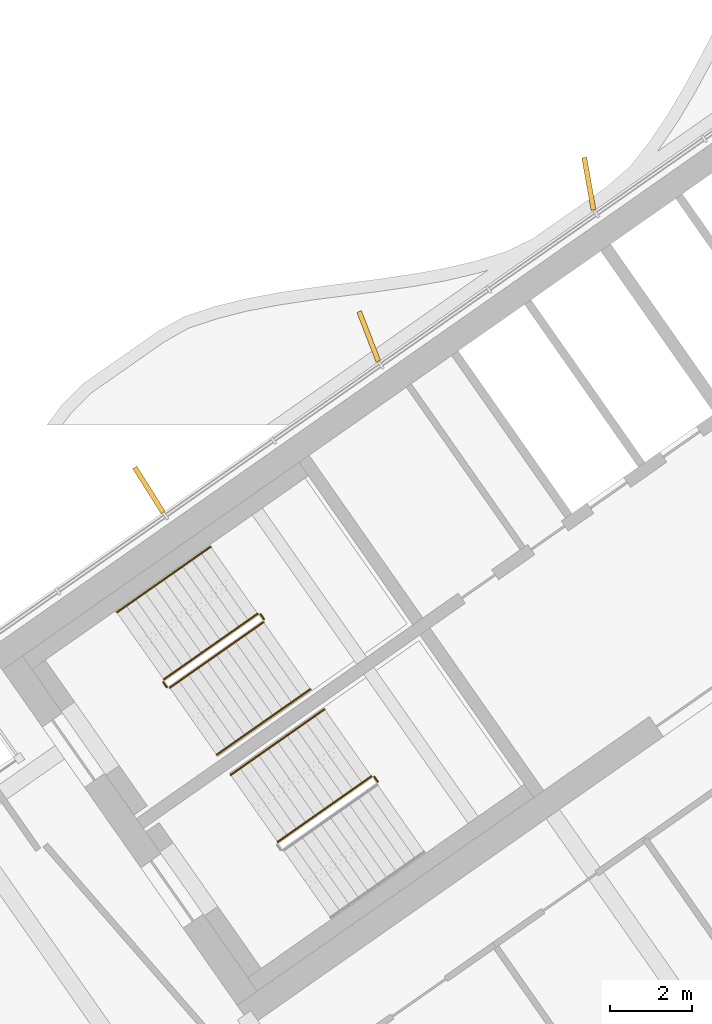
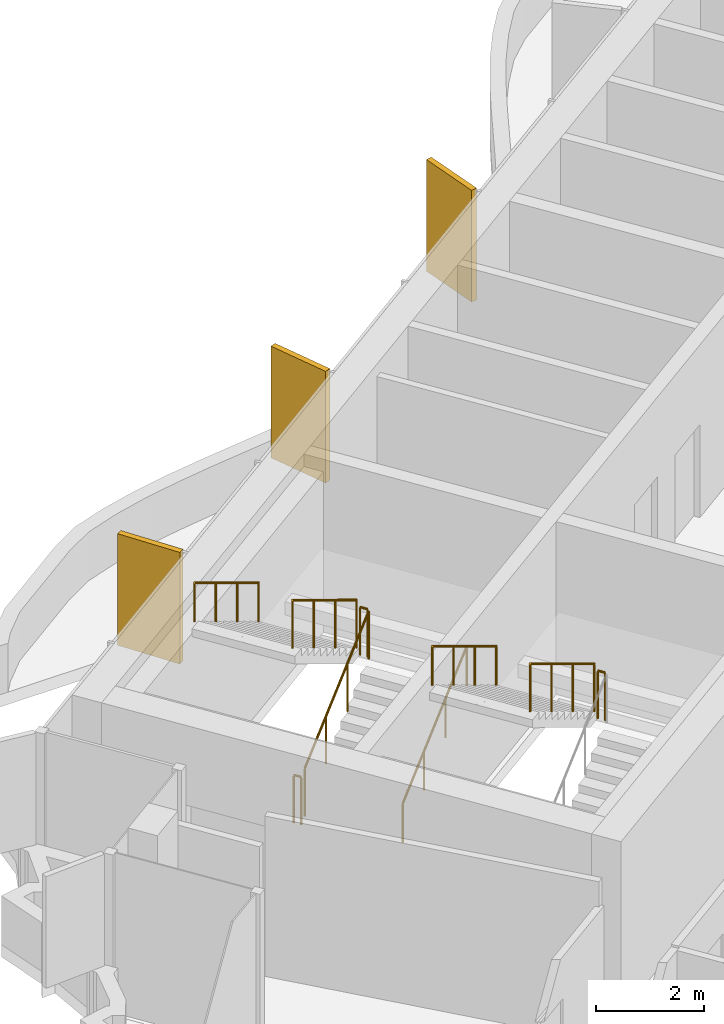
# One storey, part 15 of 18: 9 railings, 3 shading devices.
"""IFC4 building model written with IfcOpenShell, lengths in metres."""

from ifc_helpers import new_model, si_unit, direction, frame, origin, origin_2d, place, context, subcontext, project, spatial, rectangle, circle, extrude, material, layer, layer_set, type_object, element, save


model = new_model("IFC4")

# Units and contexts
model_context = context("Model", 3, precision=1e-05, world=origin(), true_north=direction((0.0, 1.0)))
body_context = subcontext(model_context, "Body", "Model", "MODEL_VIEW")
ifc_project = project(units=[si_unit("LENGTHUNIT", "METRE"), si_unit("AREAUNIT", "SQUARE_METRE"), si_unit("VOLUMEUNIT", "CUBIC_METRE"), si_unit("PLANEANGLEUNIT", "RADIAN"), si_unit("MASSUNIT", "GRAM", prefix="KILO")], contexts=[model_context])

# Site, building, storey
site_placement = place(None, origin())
site = spatial("IfcSite", under=ifc_project, at=site_placement, CompositionType="ELEMENT")
building_placement = place(site_placement, origin())
building = spatial("IfcBuilding", under=site, at=building_placement, Name="Tel Ilan Convention Tower", CompositionType="ELEMENT")
storey_placement = place(building_placement, frame((0.0, 0.0, 303.39990234375)))
storey = spatial("IfcBuildingStorey", under=building, at=storey_placement, Name="L72", CompositionType="ELEMENT", Elevation=303.39990234375)

# Shading devices
ifc_material_1 = material(Name="Aluminium, bronze anodised", Category="aluminium")
ifc_layer = layer(ifc_material_1, 0.1201171875)
ifc_layer_set = layer_set([ifc_layer], Name="FIN BRONZE 1300x120")
shading_device_type = type_object("IfcShadingDeviceType", Name="FIN BRONZE 1300x120", PredefinedType="USERDEFINED", material=ifc_layer_set)
for number, where, z_axis, x_axis, name in (
    (1, (-13.290283203125, 4.26171875, 1.10009765625), (0.0, 0.0, 1.0), (-0.173648177667, 0.984807753012, 0.0), "FIN"),
    (2, (-18.67041015625, 0.5322265625, 1.10009765625), (0.0, 0.0, 1.0), (-0.360177724803, 0.932883704733, 0.0), "FIN"),
    (3, (-24.04150390625, -3.220458984375, 1.10009765625), (0.0, 0.0, 1.0), (-0.533204432798, 0.845986425922, 0.0), "FIN"),
):
    element("IfcShadingDevice", number, at=place(storey_placement, frame(where, z_axis=z_axis, x_axis=x_axis)), inside=storey, type_object=shading_device_type, Name=name, ObjectType="FIN", PredefinedType="USERDEFINED", context=body_context, shape_type="SweptSolid", body=[
        extrude(rectangle(XDim=1.300048828125, YDim=0.1201171875, at=origin_2d()), origin(), (0.0, 0.0, 1.0), 2.52001953125),
    ])

# Railings
ifc_material_2 = material(Name="Stainless Steel Grade 316", Category="steel")
railing_type_1 = type_object("IfcRailingType", Name="Stainless Steel Stair Guard 1100 mm", PredefinedType="GUARDRAIL", material=ifc_material_2)
railing_1_placement = place(storey_placement, frame((-23.535400390625, -8.056396484375, 0.177490234375)))
element("IfcRailing", 4, at=railing_1_placement, inside=storey, type_object=railing_type_1, Name="L72 S1 stair guard 1", PredefinedType="GUARDRAIL", context=body_context, shape_type="SweptSolid", body=[
    extrude(circle(Radius=0.02392578125, at=origin_2d()), frame((0.0, 0.0, 1.076171875), z_axis=(0.692098378994, 0.484653031975, 0.534893701956), x_axis=(-0.573608623498, 0.819129505664, 0.0)), (0.0, 0.0, 1.0), 3.314208984375),
    extrude(circle(Radius=0.02099609375, at=origin_2d()), origin(), (0.0, 0.0, 1.0), 1.052001953125),
    extrude(circle(Radius=0.02099609375, at=origin_2d()), frame((0.7646484375, 0.535400390625, 0.5908203125)), (0.0, 0.0, 1.0), 1.052001953125),
    extrude(circle(Radius=0.02099609375, at=origin_2d()), frame((1.529052734375, 1.07080078125, 1.181884765625)), (0.0, 0.0, 1.0), 1.052001953125),
    extrude(circle(Radius=0.02099609375, at=origin_2d()), frame((2.293701171875, 1.606201171875, 1.772705078125)), (0.0, 0.0, 1.0), 1.052001953125),
])
railing_2_placement = place(storey_placement, frame((-21.2294921875, -6.380615234375, 1.9501953125)))
element("IfcRailing", 5, at=railing_2_placement, inside=storey, type_object=railing_type_1, Name="L72 S1 stair guard 2", PredefinedType="GUARDRAIL", context=body_context, shape_type="SweptSolid", body=[
    extrude(circle(Radius=0.02392578125, at=origin_2d()), frame((0.0, 0.0, 1.076171875), z_axis=(-0.573353020881, 0.819308436089, 0.0), x_axis=(-0.819308436089, -0.573353020881, 0.0)), (0.0, 0.0, 1.0), 0.14990234375),
    extrude(circle(Radius=0.02099609375, at=origin_2d()), origin(), (0.0, 0.0, 1.0), 1.052001953125),
    extrude(circle(Radius=0.02099609375, at=origin_2d()), frame((-0.0859375, 0.122802734375, 0.0)), (0.0, 0.0, 1.0), 1.052001953125),
])
railing_3_placement = place(storey_placement, frame((-21.38525390625, -6.24560546875, 2.12744140625)))
element("IfcRailing", 6, at=railing_3_placement, inside=storey, type_object=railing_type_1, Name="L72 S1 stair guard 3", PredefinedType="GUARDRAIL", context=body_context, shape_type="SweptSolid", body=[
    extrude(circle(Radius=0.02392578125, at=origin_2d()), frame((0.0, 0.0, 1.076171875), z_axis=(-0.692084706163, -0.484621375041, 0.534940073605), x_axis=(0.573591086599, -0.819141785879, 0.0)), (0.0, 0.0, 1.0), 3.313720703125),
    extrude(circle(Radius=0.02099609375, at=origin_2d()), origin(), (0.0, 0.0, 1.0), 1.052001953125),
    extrude(circle(Radius=0.02099609375, at=origin_2d()), frame((-0.764404296875, -0.535400390625, 0.5908203125)), (0.0, 0.0, 1.0), 1.052001953125),
    extrude(circle(Radius=0.02099609375, at=origin_2d()), frame((-1.529052734375, -1.070556640625, 1.181884765625)), (0.0, 0.0, 1.0), 1.052001953125),
    extrude(circle(Radius=0.02099609375, at=origin_2d()), frame((-2.29345703125, -1.60595703125, 1.772705078125)), (0.0, 0.0, 1.0), 1.052001953125),
])
railing_4_placement = place(storey_placement, frame((-23.60498046875, -8.0439453125, 0.0)))
element("IfcRailing", 7, at=railing_4_placement, inside=storey, type_object=railing_type_1, Name="L72 S1 stair guard 4", PredefinedType="GUARDRAIL", context=body_context, shape_type="SweptSolid", body=[
    extrude(circle(Radius=0.02392578125, at=origin_2d()), frame((0.0, 0.0, 1.076171875), z_axis=(-0.574444878118, 0.818543268254, 0.0), x_axis=(-0.818543268254, -0.574444878118, 0.0)), (0.0, 0.0, 1.0), 0.150146484375),
    extrude(circle(Radius=0.02099609375, at=origin_2d()), origin(), (0.0, 0.0, 1.0), 1.052001953125),
    extrude(circle(Radius=0.02099609375, at=origin_2d()), frame((-0.086181640625, 0.122802734375, 0.0)), (0.0, 0.0, 1.0), 1.052001953125),
])
railing_5_placement = place(storey_placement, frame((-18.44775390625, -10.353515625, 1.9501953125)))
element("IfcRailing", 8, at=railing_5_placement, inside=storey, type_object=railing_type_1, Name="L72 S2 stair guard 2", PredefinedType="GUARDRAIL", context=body_context, shape_type="SweptSolid", body=[
    extrude(circle(Radius=0.02392578125, at=origin_2d()), frame((0.0, 0.0, 1.076171875), z_axis=(-0.573353020881, 0.819308436089, 0.0), x_axis=(-0.819308436089, -0.573353020881, 0.0)), (0.0, 0.0, 1.0), 0.14990234375),
    extrude(circle(Radius=0.02099609375, at=origin_2d()), origin(), (0.0, 0.0, 1.0), 1.052001953125),
    extrude(circle(Radius=0.02099609375, at=origin_2d()), frame((-0.0859375, 0.122802734375, 0.0)), (0.0, 0.0, 1.0), 1.052001953125),
])
railing_6_placement = place(storey_placement, frame((-18.603271484375, -10.218505859375, 2.12744140625)))
element("IfcRailing", 9, at=railing_6_placement, inside=storey, type_object=railing_type_1, Name="L72 S2 stair guard 3", PredefinedType="GUARDRAIL", context=body_context, shape_type="SweptSolid", body=[
    extrude(circle(Radius=0.02392578125, at=origin_2d()), frame((0.0, 0.0, 1.076171875), z_axis=(-0.692123088272, -0.484596665743, 0.534912798717), x_axis=(0.573550118428, -0.819170471667, 0.0)), (0.0, 0.0, 1.0), 3.31396484375),
    extrude(circle(Radius=0.02099609375, at=origin_2d()), origin(), (0.0, 0.0, 1.0), 1.052001953125),
    extrude(circle(Radius=0.02099609375, at=origin_2d()), frame((-0.7646484375, -0.535400390625, 0.5908203125)), (0.0, 0.0, 1.0), 1.052001953125),
    extrude(circle(Radius=0.02099609375, at=origin_2d()), frame((-1.529052734375, -1.070556640625, 1.181884765625)), (0.0, 0.0, 1.0), 1.052001953125),
    extrude(circle(Radius=0.02099609375, at=origin_2d()), frame((-2.293701171875, -1.60595703125, 1.772705078125)), (0.0, 0.0, 1.0), 1.052001953125),
])
ifc_material_3 = material(Name="Stainless Steel Grade 316", Category="steel")
railing_type_2 = type_object("IfcRailingType", Name="Stainless Steel Stair Handrail 900 mm", PredefinedType="HANDRAIL", material=ifc_material_3)
railing_7_placement = place(storey_placement, frame((-22.38818359375, -9.694580078125, 0.177490234375)))
element("IfcRailing", 10, at=railing_7_placement, inside=storey, type_object=railing_type_2, Name="L72 S1 stair handrail 1", PredefinedType="HANDRAIL", context=body_context, shape_type="SweptSolid", body=[
    extrude(circle(Radius=0.02392578125, at=origin_2d()), frame((0.0, 0.0, 0.8759765625), z_axis=(0.692084706163, 0.484621375041, 0.534940073605), x_axis=(-0.573591086599, 0.819141785879, 0.0)), (0.0, 0.0, 1.0), 3.313720703125),
    extrude(circle(Radius=0.02099609375, at=origin_2d()), origin(), (0.0, 0.0, 1.0), 0.851806640625),
    extrude(circle(Radius=0.02099609375, at=origin_2d()), frame((0.764404296875, 0.535400390625, 0.5908203125)), (0.0, 0.0, 1.0), 0.851806640625),
    extrude(circle(Radius=0.02099609375, at=origin_2d()), frame((1.529052734375, 1.070556640625, 1.181884765625)), (0.0, 0.0, 1.0), 0.851806640625),
    extrude(circle(Radius=0.02099609375, at=origin_2d()), frame((2.29345703125, 1.60595703125, 1.772705078125)), (0.0, 0.0, 1.0), 0.851806640625),
])
for number, where, name in (
    (11, (-22.5322265625, -4.607177734375, 2.12744140625), "L72 S1 stair handrail 2"),
    (12, (-19.75048828125, -8.580078125, 2.12744140625), "L72 S2 stair handrail 2"),
):
    element("IfcRailing", number, at=place(storey_placement, frame(where)), inside=storey, type_object=railing_type_2, Name=name, PredefinedType="HANDRAIL", context=body_context, shape_type="SweptSolid", body=[
        extrude(circle(Radius=0.02392578125, at=origin_2d()), frame((0.0, 0.0, 0.8759765625), z_axis=(-0.692123088272, -0.484596665743, 0.534912798717), x_axis=(0.573550118428, -0.819170471667, 0.0)), (0.0, 0.0, 1.0), 3.31396484375),
        extrude(circle(Radius=0.02099609375, at=origin_2d()), origin(), (0.0, 0.0, 1.0), 0.851806640625),
        extrude(circle(Radius=0.02099609375, at=origin_2d()), frame((-0.7646484375, -0.535400390625, 0.5908203125)), (0.0, 0.0, 1.0), 0.851806640625),
        extrude(circle(Radius=0.02099609375, at=origin_2d()), frame((-1.529052734375, -1.070556640625, 1.181884765625)), (0.0, 0.0, 1.0), 0.851806640625),
        extrude(circle(Radius=0.02099609375, at=origin_2d()), frame((-2.293701171875, -1.60595703125, 1.772705078125)), (0.0, 0.0, 1.0), 0.851806640625),
    ])

save(model, "model.ifc")
